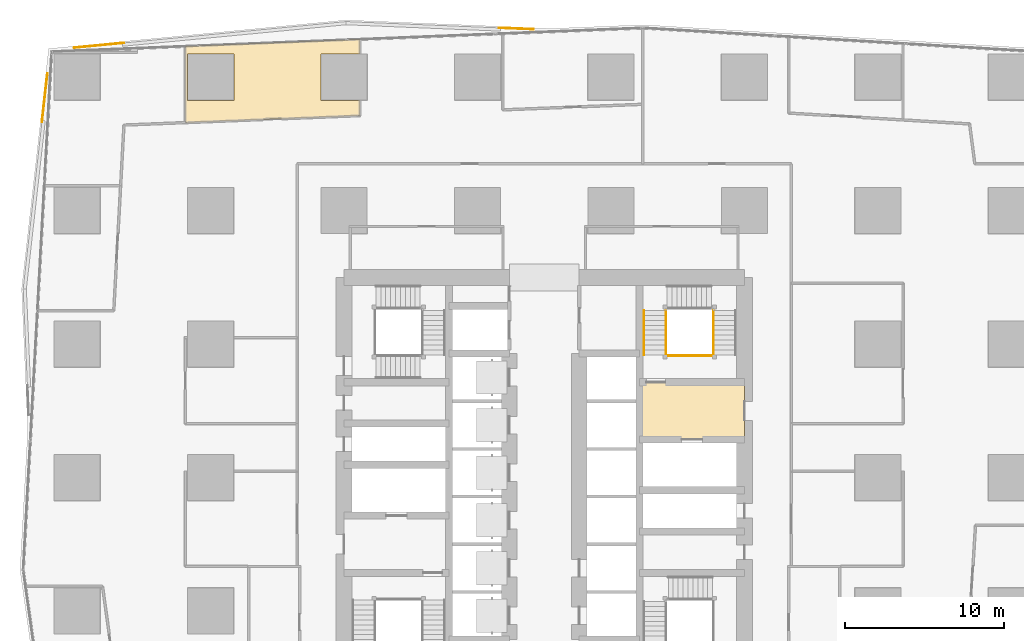
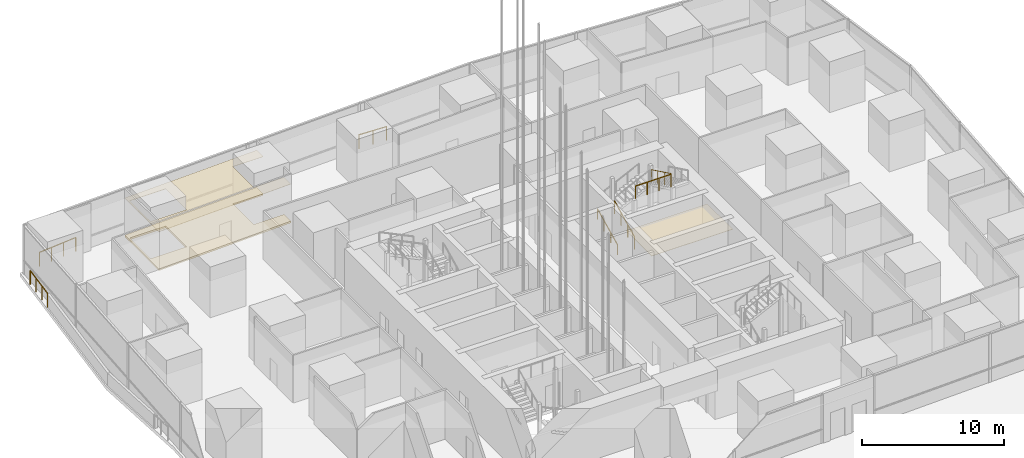
# One storey, part 29 of 44: 7 railings, 3 coverings.
"""IFC4 building model written with IfcOpenShell, lengths in metres."""

from ifc_helpers import new_model, si_unit, direction, frame, origin, origin_2d, place, context, subcontext, project, spatial, polyline, circle, outline, extrude, material, layer, layer_set, type_object, element, save


model = new_model("IFC4")

# Units and contexts
model_context = context("Model", 3, precision=1e-05, world=origin(), true_north=direction((0.0, 1.0)))
body_context = subcontext(model_context, "Body", "Model", "MODEL_VIEW")
ifc_project = project(units=[si_unit("LENGTHUNIT", "METRE"), si_unit("AREAUNIT", "SQUARE_METRE"), si_unit("VOLUMEUNIT", "CUBIC_METRE"), si_unit("PLANEANGLEUNIT", "RADIAN"), si_unit("MASSUNIT", "GRAM", prefix="KILO")], contexts=[model_context])

# Site, building, storey
site_placement = place(None, origin())
site = spatial("IfcSite", under=ifc_project, at=site_placement, CompositionType="ELEMENT")
building_placement = place(site_placement, origin())
building = spatial("IfcBuilding", under=site, at=building_placement, Name="Rekha Terrace Tower", CompositionType="ELEMENT")
storey_placement = place(building_placement, frame((0.0, 0.0, 90.800048828125)))
storey = spatial("IfcBuildingStorey", under=building, at=storey_placement, Name="L22", CompositionType="ELEMENT", Elevation=90.800048828125)

# Coverings
ifc_material_1 = material(Name="Mineral fibre tile in exposed grid", Category="finish")
ifc_layer_1 = layer(ifc_material_1, 0.02001953125)
ifc_layer_set_1 = layer_set([ifc_layer_1], Name="Mineral fibre tile in exposed grid")
covering_type_1 = type_object("IfcCoveringType", Name="CL1 600x1200 office grid ceiling", PredefinedType="CEILING", material=ifc_layer_set_1)
covering_1_placement = place(storey_placement, frame((0.0, 0.0, 3.329833984375)))
element("IfcCovering", 1, at=covering_1_placement, inside=storey, type_object=covering_type_1, Name="Ceiling L22-11", PredefinedType="CEILING", context=body_context, shape_type="SweptSolid", body=[
    extrude(outline(polyline([(15.216064453125, 60.7451171875), (15.216064453125, 55.94091796875), (26.200927734375, 56.381103515625), (26.200927734375, 57.3349609375), (23.735107421875, 57.3349609375), (23.735107421875, 60.264892578125), (26.200927734375, 60.264892578125), (26.200927734375, 61.18505859375), (15.216064453125, 60.7451171875)]), holes=[polyline([(18.264892578125, 57.3349609375), (15.3349609375, 57.3349609375), (15.3349609375, 60.264892578125), (18.264892578125, 60.264892578125), (18.264892578125, 57.3349609375)])]), origin(), (0.0, 0.0, 1.0), 0.02001953125),
])
ifc_material_2 = material(Name="Powder-coated aluminium pan", Category="aluminium")
ifc_layer_2 = layer(ifc_material_2, 0.030029296875)
ifc_layer_set_2 = layer_set([ifc_layer_2], Name="Powder-coated aluminium pan")
covering_type_2 = type_object("IfcCoveringType", Name="CL3 300x1200 metal pan ceiling", PredefinedType="CEILING", material=ifc_layer_set_2)
covering_2_placement = place(storey_placement, frame((0.0, 0.0, 3.320068359375)))
element("IfcCovering", 2, at=covering_2_placement, inside=storey, type_object=covering_type_2, Name="Ceiling L22-FLB2", PredefinedType="CEILING", context=body_context, shape_type="SweptSolid", body=[
    extrude(outline(polyline([(50.39990234375, 39.60009765625), (43.800048828125, 39.60009765625), (43.800048828125, 36.0), (50.39990234375, 36.0), (50.39990234375, 39.60009765625)])), origin(), (0.0, 0.0, 1.0), 0.02978515625),
])

# Railings
ifc_material_3 = material(Name="Stainless steel balustrade", Category="steel")
railing_type_1 = type_object("IfcRailingType", Name="GR1 1100 stair guard", PredefinedType="GUARDRAIL", material=ifc_material_3)
railing_1_placement = place(storey_placement, frame((45.465087890625, 41.324951171875, 0.14990234375)))
element("IfcRailing", 3, at=railing_1_placement, inside=storey, type_object=railing_type_1, Name="Guard ST2 L22 flight 1", PredefinedType="GUARDRAIL", context=body_context, shape_type="SweptSolid", body=[
    extrude(circle(Radius=0.02392578125, at=origin_2d()), frame((0.0, 0.0, 1.076171875), z_axis=(0.0, 0.90014928908, 0.43558151633), x_axis=(-1.0, 0.0, 0.0)), (0.0, 0.0, 1.0), 3.099609375),
    extrude(circle(Radius=0.02099609375, at=origin_2d()), origin(), (0.0, 0.0, 1.0), 1.052001953125),
    extrude(circle(Radius=0.02099609375, at=origin_2d()), frame((0.0, 0.929931640625, 0.449951171875)), (0.0, 0.0, 1.0), 1.052001953125),
    extrude(circle(Radius=0.02099609375, at=origin_2d()), frame((0.0, 1.860107421875, 0.900146484375)), (0.0, 0.0, 1.0), 1.052001953125),
    extrude(circle(Radius=0.02099609375, at=origin_2d()), frame((0.0, 2.7900390625, 1.35009765625)), (0.0, 0.0, 1.0), 1.052001953125),
])
railing_2_placement = place(storey_placement, frame((48.4599609375, 44.114990234375, 3.14990234375)))
element("IfcRailing", 4, at=railing_2_placement, inside=storey, type_object=railing_type_1, Name="Guard ST2 L22 flight 3", PredefinedType="GUARDRAIL", context=body_context, shape_type="SweptSolid", body=[
    extrude(circle(Radius=0.02392578125, at=origin_2d()), frame((0.0, 0.0, 1.076171875), z_axis=(0.0, -0.90014928908, 0.43558151633), x_axis=(1.0, 0.0, 0.0)), (0.0, 0.0, 1.0), 3.099609375),
    extrude(circle(Radius=0.02099609375, at=origin_2d()), origin(), (0.0, 0.0, 1.0), 1.052001953125),
    extrude(circle(Radius=0.02099609375, at=origin_2d()), frame((0.0, -0.929931640625, 0.449951171875)), (0.0, 0.0, 1.0), 1.052001953125),
    extrude(circle(Radius=0.02099609375, at=origin_2d()), frame((0.0, -1.860107421875, 0.900146484375)), (0.0, 0.0, 1.0), 1.052001953125),
    extrude(circle(Radius=0.02099609375, at=origin_2d()), frame((0.0, -2.7900390625, 1.35009765625)), (0.0, 0.0, 1.0), 1.052001953125),
])
railing_3_placement = place(storey_placement, frame((45.52490234375, 41.264892578125, 4.5)))
element("IfcRailing", 5, at=railing_3_placement, inside=storey, type_object=railing_type_1, Name="Guard ST2 L22 landing 4", PredefinedType="GUARDRAIL", context=body_context, shape_type="SweptSolid", body=[
    extrude(circle(Radius=0.02392578125, at=origin_2d()), frame((0.0, 0.0, 1.076171875), z_axis=(1.0, 0.0, 0.0), x_axis=(0.0, 1.0, 0.0)), (0.0, 0.0, 1.0), 2.875),
    extrude(circle(Radius=0.02099609375, at=origin_2d()), origin(), (0.0, 0.0, 1.0), 1.052001953125),
    extrude(circle(Radius=0.02099609375, at=origin_2d()), frame((0.958251953125, 0.0, 0.0)), (0.0, 0.0, 1.0), 1.052001953125),
    extrude(circle(Radius=0.02099609375, at=origin_2d()), frame((1.916748046875, 0.0, 0.0)), (0.0, 0.0, 1.0), 1.052001953125),
    extrude(circle(Radius=0.02099609375, at=origin_2d()), frame((2.875, 0.0, 0.0)), (0.0, 0.0, 1.0), 1.052001953125),
])
ifc_material_4 = material(Name="Steel guard with vertical balusters", Category="steel")
railing_type_2 = type_object("IfcRailingType", Name="GR2 refuge area guard 1200", PredefinedType="GUARDRAIL", material=ifc_material_4)
railing_4_placement = place(storey_placement, frame((37.131103515625, 61.813232421875, 0.0)))
element("IfcRailing", 6, at=railing_4_placement, inside=storey, type_object=railing_type_2, Name="Ledge corner guard", PredefinedType="GUARDRAIL", context=body_context, shape_type="SweptSolid", body=[
    extrude(circle(Radius=0.02392578125, at=origin_2d()), frame((0.0, 0.0, 1.17578125), z_axis=(-0.999154376097, 0.041116088411, 0.0), x_axis=(-0.041116088411, -0.999154376097, 0.0)), (0.0, 0.0, 1.0), 2.191162109375),
    extrude(circle(Radius=0.02099609375, at=origin_2d()), origin(), (0.0, 0.0, 1.0), 1.15185546875),
    extrude(circle(Radius=0.02099609375, at=origin_2d()), frame((-1.0947265625, 0.044921875, 0.0)), (0.0, 0.0, 1.0), 1.15185546875),
    extrude(circle(Radius=0.02099609375, at=origin_2d()), frame((-2.189208984375, 0.090087890625, 0.0)), (0.0, 0.0, 1.0), 1.15185546875),
])
railing_5_placement = place(storey_placement, frame((11.3427734375, 60.95556640625, 0.0)))
element("IfcRailing", 7, at=railing_5_placement, inside=storey, type_object=railing_type_2, Name="Ledge corner guard", PredefinedType="GUARDRAIL", context=body_context, shape_type="SweptSolid", body=[
    extrude(circle(Radius=0.02392578125, at=origin_2d()), frame((0.0, 0.0, 1.17578125), z_axis=(-0.995407464242, -0.095728679776, 0.0), x_axis=(0.095728679776, -0.995407464242, 0.0)), (0.0, 0.0, 1.0), 3.14453125),
    extrude(circle(Radius=0.02099609375, at=origin_2d()), origin(), (0.0, 0.0, 1.0), 1.15185546875),
    extrude(circle(Radius=0.02099609375, at=origin_2d()), frame((-1.04345703125, -0.100341796875, 0.0)), (0.0, 0.0, 1.0), 1.15185546875),
    extrude(circle(Radius=0.02099609375, at=origin_2d()), frame((-2.086669921875, -0.20068359375, 0.0)), (0.0, 0.0, 1.0), 1.15185546875),
    extrude(circle(Radius=0.02099609375, at=origin_2d()), frame((-3.130126953125, -0.301025390625, 0.0)), (0.0, 0.0, 1.0), 1.15185546875),
])
railing_6_placement = place(storey_placement, frame((6.523681640625, 59.027099609375, 0.0)))
element("IfcRailing", 8, at=railing_6_placement, inside=storey, type_object=railing_type_2, Name="Ledge corner guard", PredefinedType="GUARDRAIL", context=body_context, shape_type="SweptSolid", body=[
    extrude(circle(Radius=0.02392578125, at=origin_2d()), frame((0.0, 0.0, 1.17578125), z_axis=(-0.111687816719, -0.993743342919, 0.0), x_axis=(0.993743342919, -0.111687816719, 0.0)), (0.0, 0.0, 1.0), 3.0712890625),
    extrude(circle(Radius=0.02099609375, at=origin_2d()), origin(), (0.0, 0.0, 1.0), 1.15185546875),
    extrude(circle(Radius=0.02099609375, at=origin_2d()), frame((-0.1142578125, -1.017333984375, 0.0)), (0.0, 0.0, 1.0), 1.15185546875),
    extrude(circle(Radius=0.02099609375, at=origin_2d()), frame((-0.228759765625, -2.03466796875, 0.0)), (0.0, 0.0, 1.0), 1.15185546875),
    extrude(circle(Radius=0.02099609375, at=origin_2d()), frame((-0.343017578125, -3.052001953125, 0.0)), (0.0, 0.0, 1.0), 1.15185546875),
])
ifc_material_5 = material(Name="Stainless steel tube", Category="steel")
railing_type_3 = type_object("IfcRailingType", Name="HR1 900 stair handrail", PredefinedType="HANDRAIL", material=ifc_material_5)
railing_7_placement = place(storey_placement, frame((44.0849609375, 41.324951171875, 0.14990234375)))
element("IfcRailing", 9, at=railing_7_placement, inside=storey, type_object=railing_type_3, Name="Handrail ST2 L22 flight 1", PredefinedType="HANDRAIL", context=body_context, shape_type="SweptSolid", body=[
    extrude(circle(Radius=0.02392578125, at=origin_2d()), frame((0.0, 0.0, 0.8759765625), z_axis=(0.0, 0.90014928908, 0.43558151633), x_axis=(-1.0, 0.0, 0.0)), (0.0, 0.0, 1.0), 3.099609375),
    extrude(circle(Radius=0.02099609375, at=origin_2d()), origin(), (0.0, 0.0, 1.0), 0.851806640625),
    extrude(circle(Radius=0.02099609375, at=origin_2d()), frame((0.0, 0.929931640625, 0.449951171875)), (0.0, 0.0, 1.0), 0.851806640625),
    extrude(circle(Radius=0.02099609375, at=origin_2d()), frame((0.0, 1.860107421875, 0.900146484375)), (0.0, 0.0, 1.0), 0.851806640625),
    extrude(circle(Radius=0.02099609375, at=origin_2d()), frame((0.0, 2.7900390625, 1.35009765625)), (0.0, 0.0, 1.0), 0.851806640625),
])

# Covering
ifc_material_6 = material(Name="Calcium sulphate panels on steel pedestals", Category="steel")
ifc_layer_3 = layer(ifc_material_6, 0.14990234375)
ifc_layer_set_3 = layer_set([ifc_layer_3], Name="Calcium sulphate panels on steel pedestals")
covering_type_3 = type_object("IfcCoveringType", Name="RF1 150 raised access floor", PredefinedType="FLOORING", material=ifc_layer_set_3)
covering_3_placement = place(storey_placement, origin())
element("IfcCovering", 10, at=covering_3_placement, inside=storey, type_object=covering_type_3, Name="Raised floor L22-11", PredefinedType="FLOORING", context=body_context, shape_type="SweptSolid", body=[
    extrude(outline(polyline([(15.216064453125, 60.7451171875), (15.216064453125, 55.94091796875), (26.200927734375, 56.381103515625), (26.200927734375, 57.3349609375), (23.735107421875, 57.3349609375), (23.735107421875, 60.264892578125), (26.200927734375, 60.264892578125), (26.200927734375, 61.18505859375), (15.216064453125, 60.7451171875)]), holes=[polyline([(18.264892578125, 57.3349609375), (15.3349609375, 57.3349609375), (15.3349609375, 60.264892578125), (18.264892578125, 60.264892578125), (18.264892578125, 57.3349609375)])]), origin(), (0.0, 0.0, 1.0), 0.14990234375),
])

save(model, "model.ifc")
